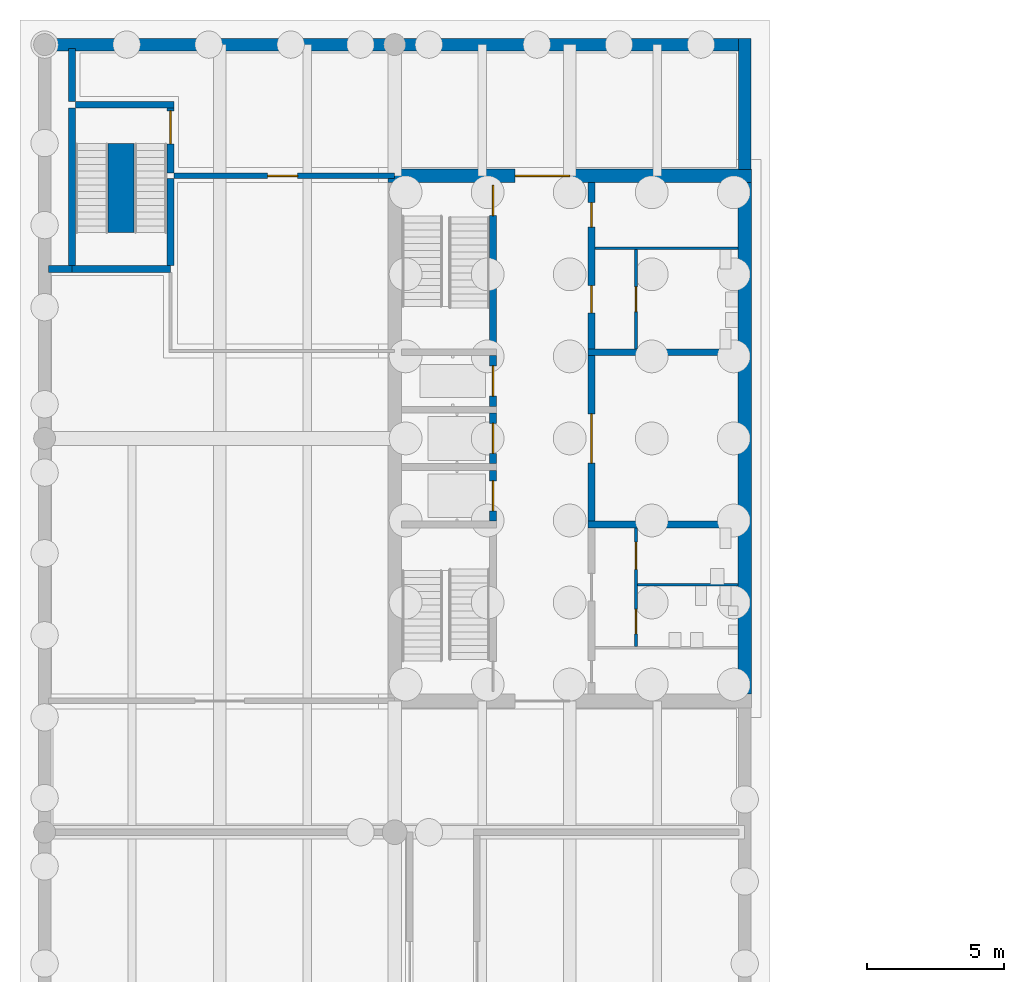
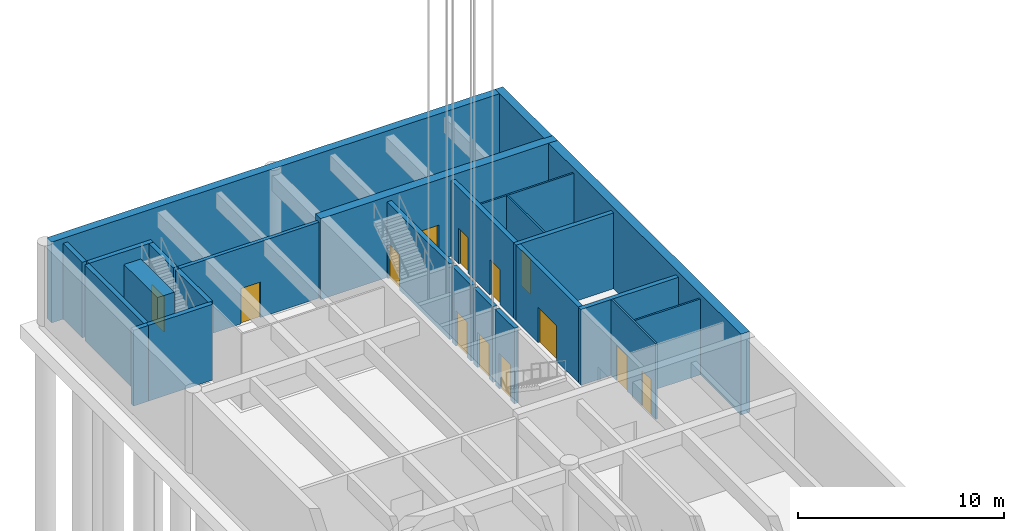
# One storey, part 4 of 24: 25 walls, 13 doors, 13 openings.
"""IFC4 building model written with IfcOpenShell, lengths in metres."""

from ifc_helpers import new_model, si_unit, direction, frame, frame_2d, origin, place, context, subcontext, project, spatial, rectangle, extrude, material, layer, layer_set, type_object, element, fill, save


model = new_model("IFC4")

# Units and contexts
model_context = context("Model", 3, precision=1e-05, world=origin(), true_north=direction((0.0, 1.0)))
body_context = subcontext(model_context, "Body", "Model", "MODEL_VIEW")
ifc_project = project(units=[si_unit("LENGTHUNIT", "METRE"), si_unit("AREAUNIT", "SQUARE_METRE"), si_unit("VOLUMEUNIT", "CUBIC_METRE"), si_unit("PLANEANGLEUNIT", "RADIAN"), si_unit("MASSUNIT", "GRAM", prefix="KILO")], contexts=[model_context])

# Site, building, storey
site_placement = place(None, origin())
site = spatial("IfcSite", under=ifc_project, at=site_placement, CompositionType="ELEMENT")
building_placement = place(site_placement, origin())
building = spatial("IfcBuilding", under=site, at=building_placement, Name="Fogon Plaza Fire Station and Headquarters Tower", CompositionType="ELEMENT")
storey_placement = place(building_placement, frame((0.0, 0.0, -4.800048828125)))
storey = spatial("IfcBuildingStorey", under=building, at=storey_placement, Name="B1", CompositionType="ELEMENT", Elevation=-4.800048828125)

# Wall, opening, door
ifc_material_1 = material(Name="Concrete C40", Category="concrete")
ifc_layer_1 = layer(ifc_material_1, 0.25)
ifc_layer_set_1 = layer_set([ifc_layer_1], Name="Concrete C40")
wall_type_1 = type_object("IfcWallType", Name="Core Wall RC 250", PredefinedType="SOLIDWALL", material=ifc_layer_set_1)
wall_1_placement = place(storey_placement, frame((16.39990234375, 40.175048828125, 0.0), z_axis=(0.0, 0.0, 1.0), x_axis=(0.0, 1.0, 0.0)))
wall_1 = element("IfcWall", 1, at=wall_1_placement, inside=storey, type_object=wall_type_1, Name="Core A shaft wall", PredefinedType="SOLIDWALL", context=body_context, shape_type="SweptSolid", body=[
    extrude(rectangle(XDim=1.849853515625, YDim=0.25, at=frame_2d((0.9248046875, 0.0))), origin(), (0.0, 0.0, 1.0), 4.5),
])
opening_1_placement = place(wall_1_placement, frame((0.375, 0.0, 0.0)))
opening_1 = element("IfcOpeningElement", 2, at=opening_1_placement, cuts=wall_1, Name="Opening B1-D03", PredefinedType="OPENING", context=body_context, shape_type="SweptSolid", body=[
    extrude(rectangle(XDim=1.10009765625, YDim=2.10009765625, at=frame_2d((0.550048828125, 1.050048828125))), frame((0.0, 0.135009765625, 0.0), z_axis=(0.0, -1.0, 0.0), x_axis=(1.0, 0.0, 0.0)), (0.0, 0.0, 1.0), 0.27001953125),
])
ifc_material_2 = material(Name="Stainless Steel", Category="steel")
door_type_1 = type_object("IfcDoorType", Name="Lift Landing Door 1100x2100", OperationType="SLIDING_TO_LEFT", PredefinedType="DOOR", material=ifc_material_2)
door_1_placement = place(opening_1_placement, origin())
door_1 = element("IfcDoor", 3, at=door_1_placement, inside=storey, type_object=door_type_1, Name="Lift LP1 landing door", OperationType="SLIDING_TO_LEFT", OverallHeight=2.10009765625, OverallWidth=1.10009765625, PredefinedType="DOOR", context=body_context, shape_type="SweptSolid", body=[
    extrude(rectangle(XDim=1.10009765625, YDim=2.10009765625, at=frame_2d((0.550048828125, 1.050048828125))), frame((0.0, 0.02490234375, 0.0), z_axis=(0.0, -1.0, 0.0), x_axis=(1.0, 0.0, 0.0)), (0.0, 0.0, 1.0), 0.050048828125),
])
fill(opening_1, door_1)

wall_2_placement = place(storey_placement, frame((16.39990234375, 42.27490234375, 0.0), z_axis=(0.0, 0.0, 1.0), x_axis=(0.0, 1.0, 0.0)))
wall_2 = element("IfcWall", 4, at=wall_2_placement, inside=storey, type_object=wall_type_1, Name="Core A shaft wall", PredefinedType="SOLIDWALL", context=body_context, shape_type="SweptSolid", body=[
    extrude(rectangle(XDim=1.85009765625, YDim=0.25, at=frame_2d((0.925048828125, 0.0))), origin(), (0.0, 0.0, 1.0), 4.5),
])
opening_2_placement = place(wall_2_placement, frame((0.375, 0.0, 0.0)))
opening_2 = element("IfcOpeningElement", 5, at=opening_2_placement, cuts=wall_2, Name="Opening B1-D04", PredefinedType="OPENING", context=body_context, shape_type="SweptSolid", body=[
    extrude(rectangle(XDim=1.10009765625, YDim=2.10009765625, at=frame_2d((0.550048828125, 1.050048828125))), frame((0.0, 0.135009765625, 0.0), z_axis=(0.0, -1.0, 0.0), x_axis=(1.0, 0.0, 0.0)), (0.0, 0.0, 1.0), 0.27001953125),
])
door_2_placement = place(opening_2_placement, origin())
door_2 = element("IfcDoor", 6, at=door_2_placement, inside=storey, type_object=door_type_1, Name="Lift LP2 landing door", OperationType="SLIDING_TO_LEFT", OverallHeight=2.10009765625, OverallWidth=1.10009765625, PredefinedType="DOOR", context=body_context, shape_type="SweptSolid", body=[
    extrude(rectangle(XDim=1.10009765625, YDim=2.10009765625, at=frame_2d((0.550048828125, 1.050048828125))), frame((0.0, 0.02490234375, 0.0), z_axis=(0.0, -1.0, 0.0), x_axis=(1.0, 0.0, 0.0)), (0.0, 0.0, 1.0), 0.050048828125),
])
fill(opening_2, door_2)

wall_3_placement = place(storey_placement, frame((16.39990234375, 44.375, 0.0), z_axis=(0.0, 0.0, 1.0), x_axis=(0.0, 1.0, 0.0)))
wall_3 = element("IfcWall", 7, at=wall_3_placement, inside=storey, type_object=wall_type_1, Name="Core A shaft wall", PredefinedType="SOLIDWALL", context=body_context, shape_type="SweptSolid", body=[
    extrude(rectangle(XDim=1.85009765625, YDim=0.25, at=frame_2d((0.925048828125, 0.0))), origin(), (0.0, 0.0, 1.0), 4.5),
])
opening_3_placement = place(wall_3_placement, frame((0.375, 0.0, 0.0)))
opening_3 = element("IfcOpeningElement", 8, at=opening_3_placement, cuts=wall_3, Name="Opening B1-D05", PredefinedType="OPENING", context=body_context, shape_type="SweptSolid", body=[
    extrude(rectangle(XDim=1.10009765625, YDim=2.10009765625, at=frame_2d((0.550048828125, 1.050048828125))), frame((0.0, 0.135009765625, 0.0), z_axis=(0.0, -1.0, 0.0), x_axis=(1.0, 0.0, 0.0)), (0.0, 0.0, 1.0), 0.27001953125),
])
door_3_placement = place(opening_3_placement, origin())
door_3 = element("IfcDoor", 9, at=door_3_placement, inside=storey, type_object=door_type_1, Name="Lift FL1 landing door", OperationType="SLIDING_TO_LEFT", OverallHeight=2.10009765625, OverallWidth=1.10009765625, PredefinedType="DOOR", context=body_context, shape_type="SweptSolid", body=[
    extrude(rectangle(XDim=1.10009765625, YDim=2.10009765625, at=frame_2d((0.550048828125, 1.050048828125))), frame((0.0, 0.02490234375, 0.0), z_axis=(0.0, -1.0, 0.0), x_axis=(1.0, 0.0, 0.0)), (0.0, 0.0, 1.0), 0.050048828125),
])
fill(opening_3, door_3)

wall_4_placement = place(storey_placement, frame((16.39990234375, 46.47509765625, 0.0), z_axis=(0.0, 0.0, 1.0), x_axis=(0.0, 1.0, 0.0)))
wall_4 = element("IfcWall", 10, at=wall_4_placement, inside=storey, type_object=wall_type_1, Name="Core A shaft wall", PredefinedType="SOLIDWALL", context=body_context, shape_type="SweptSolid", body=[
    extrude(rectangle(XDim=6.074951171875, YDim=0.25, at=frame_2d((3.03759765625, 0.0))), origin(), (0.0, 0.0, 1.0), 4.5),
])
opening_4_placement = place(wall_4_placement, frame((4.875, 0.0, 0.0)))
opening_4 = element("IfcOpeningElement", 11, at=opening_4_placement, cuts=wall_4, Name="Opening B1-D02", PredefinedType="OPENING", context=body_context, shape_type="SweptSolid", body=[
    extrude(rectangle(XDim=1.10009765625, YDim=2.10009765625, at=frame_2d((0.550048828125, 1.050048828125))), frame((0.0, 0.135009765625, 0.0), z_axis=(0.0, -1.0, 0.0), x_axis=(1.0, 0.0, 0.0)), (0.0, 0.0, 1.0), 0.27001953125),
])
ifc_material_3 = material(Name="Steel Fire Door Leaf", Category="steel")
door_type_2 = type_object("IfcDoorType", Name="Stair Door Single 1100x2100", OperationType="SINGLE_SWING_LEFT", PredefinedType="DOOR", material=ifc_material_3)
door_4_placement = place(opening_4_placement, origin())
door_4 = element("IfcDoor", 12, at=door_4_placement, inside=storey, type_object=door_type_2, Name="Stair door ST2", OperationType="SINGLE_SWING_RIGHT", OverallHeight=2.10009765625, OverallWidth=1.10009765625, PredefinedType="DOOR", context=body_context, shape_type="SweptSolid", body=[
    extrude(rectangle(XDim=1.10009765625, YDim=2.10009765625, at=frame_2d((0.550048828125, 1.050048828125))), frame((0.0, 0.02490234375, 0.0), z_axis=(0.0, -1.0, 0.0), x_axis=(1.0, 0.0, 0.0)), (0.0, 0.0, 1.0), 0.050048828125),
])
fill(opening_4, door_4)

wall_5_placement = place(storey_placement, frame((20.0, 40.175048828125, 0.0), z_axis=(0.0, 0.0, 1.0), x_axis=(0.0, 1.0, 0.0)))
wall_5 = element("IfcWall", 13, at=wall_5_placement, inside=storey, type_object=wall_type_1, Name="Core A shaft wall", PredefinedType="SOLIDWALL", context=body_context, shape_type="SweptSolid", body=[
    extrude(rectangle(XDim=6.050048828125, YDim=0.25, at=frame_2d((3.02490234375, 0.0))), origin(), (0.0, 0.0, 1.0), 4.5),
])
opening_5_placement = place(wall_5_placement, frame((2.125, 0.0, 0.0)))
opening_5 = element("IfcOpeningElement", 14, at=opening_5_placement, cuts=wall_5, Name="Opening B1-D06", PredefinedType="OPENING", context=body_context, shape_type="SweptSolid", body=[
    extrude(rectangle(XDim=1.800048828125, YDim=2.10009765625, at=frame_2d((0.89990234375, 1.050048828125))), frame((0.0, 0.135009765625, 0.0), z_axis=(0.0, -1.0, 0.0), x_axis=(1.0, 0.0, 0.0)), (0.0, 0.0, 1.0), 0.27001953125),
])
ifc_material_4 = material(Name="Steel Fire Door Leaf", Category="steel")
door_type_3 = type_object("IfcDoorType", Name="Store Double 1800x2100", OperationType="DOUBLE_DOOR_SINGLE_SWING", PredefinedType="DOOR", material=ifc_material_4)
door_5_placement = place(opening_5_placement, frame((1.800048828125, 0.0, 0.0), z_axis=(0.0, 0.0, 1.0), x_axis=(-1.0, 0.0, 0.0)))
door_5 = element("IfcDoor", 15, at=door_5_placement, inside=storey, type_object=door_type_3, Name="Service store A door", OperationType="DOUBLE_DOOR_SINGLE_SWING", OverallHeight=2.10009765625, OverallWidth=1.800048828125, PredefinedType="DOOR", context=body_context, shape_type="SweptSolid", body=[
    extrude(rectangle(XDim=1.800048828125, YDim=2.10009765625, at=frame_2d((0.89990234375, 1.050048828125))), frame((0.0, 0.02490234375, 0.0), z_axis=(0.0, -1.0, 0.0), x_axis=(1.0, 0.0, 0.0)), (0.0, 0.0, 1.0), 0.050048828125),
])
fill(opening_5, door_5)

# Wall, openings, doors
wall_6_placement = place(storey_placement, frame((20.0, 46.47509765625, 0.0), z_axis=(0.0, 0.0, 1.0), x_axis=(0.0, 1.0, 0.0)))
wall_6 = element("IfcWall", 16, at=wall_6_placement, inside=storey, type_object=wall_type_1, Name="Core A shaft wall", PredefinedType="SOLIDWALL", context=body_context, shape_type="SweptSolid", body=[
    extrude(rectangle(XDim=6.074951171875, YDim=0.25, at=frame_2d((3.03759765625, 0.0))), origin(), (0.0, 0.0, 1.0), 4.5),
])
opening_6_placement = place(wall_6_placement, frame((1.3125, 0.0, 0.0)))
opening_6 = element("IfcOpeningElement", 17, at=opening_6_placement, cuts=wall_6, Name="Opening B1-D11", PredefinedType="OPENING", context=body_context, shape_type="SweptSolid", body=[
    extrude(rectangle(XDim=1.0, YDim=2.10009765625, at=frame_2d((0.5, 1.050048828125))), frame((0.0, 0.135009765625, 0.0), z_axis=(0.0, -1.0, 0.0), x_axis=(1.0, 0.0, 0.0)), (0.0, 0.0, 1.0), 0.27001953125),
])
opening_7_placement = place(wall_6_placement, frame((4.449951171875, 0.0, 0.0)))
opening_7 = element("IfcOpeningElement", 18, at=opening_7_placement, cuts=wall_6, Name="Opening B1-D13", PredefinedType="OPENING", context=body_context, shape_type="SweptSolid", body=[
    extrude(rectangle(XDim=0.89990234375, YDim=2.10009765625, at=frame_2d((0.449951171875, 1.050048828125))), frame((0.0, 0.135009765625, 0.0), z_axis=(0.0, -1.0, 0.0), x_axis=(1.0, 0.0, 0.0)), (0.0, 0.0, 1.0), 0.27001953125),
])
ifc_material_5 = material(Name="Steel Fire Door Leaf", Category="steel")
door_type_4 = type_object("IfcDoorType", Name="Riser Single 900x2100", OperationType="SINGLE_SWING_LEFT", PredefinedType="DOOR", material=ifc_material_5)
door_6_placement = place(opening_7_placement, frame((0.89990234375, 0.0, 0.0), z_axis=(0.0, 0.0, 1.0), x_axis=(-1.0, 0.0, 0.0)))
door_6 = element("IfcDoor", 19, at=door_6_placement, inside=storey, type_object=door_type_4, Name="Riser room A door", OperationType="SINGLE_SWING_LEFT", OverallHeight=2.10009765625, OverallWidth=0.89990234375, PredefinedType="DOOR", context=body_context, shape_type="SweptSolid", body=[
    extrude(rectangle(XDim=0.89990234375, YDim=2.10009765625, at=frame_2d((0.449951171875, 1.050048828125))), frame((0.0, 0.02490234375, 0.0), z_axis=(0.0, -1.0, 0.0), x_axis=(1.0, 0.0, 0.0)), (0.0, 0.0, 1.0), 0.050048828125),
])
fill(opening_7, door_6)
ifc_material_6 = material(Name="Timber fire door", Category="wood")
door_type_5 = type_object("IfcDoorType", Name="WC Lobby Single 1000x2100", OperationType="SINGLE_SWING_LEFT", PredefinedType="DOOR", material=ifc_material_6)
door_7_placement = place(opening_6_placement, frame((1.0, 0.0, 0.0), z_axis=(0.0, 0.0, 1.0), x_axis=(-1.0, 0.0, 0.0)))
door_7 = element("IfcDoor", 20, at=door_7_placement, inside=storey, type_object=door_type_5, Name="Women's WC lobby A door", OperationType="SINGLE_SWING_LEFT", OverallHeight=2.10009765625, OverallWidth=1.0, PredefinedType="DOOR", context=body_context, shape_type="SweptSolid", body=[
    extrude(rectangle(XDim=1.0, YDim=2.10009765625, at=frame_2d((0.5, 1.050048828125))), frame((0.0, 0.02490234375, 0.0), z_axis=(0.0, -1.0, 0.0), x_axis=(1.0, 0.0, 0.0)), (0.0, 0.0, 1.0), 0.050048828125),
])
fill(opening_6, door_7)

# Walls
for number, where, z_axis, x_axis, name in (
    (21, (19.875, 40.050048828125, 0.0), (0.0, 0.0, 1.0), (1.0, 0.0, 0.0), "Core A shaft wall"),
    (22, (19.875, 46.35009765625, 0.0), (0.0, 0.0, 1.0), (1.0, 0.0, 0.0), "Core A shaft wall"),
):
    element("IfcWall", number, at=place(storey_placement, frame(where, z_axis=z_axis, x_axis=x_axis)), inside=storey, type_object=wall_type_1, Name=name, PredefinedType="SOLIDWALL", context=body_context, shape_type="SweptSolid", body=[
        extrude(rectangle(XDim=5.47509765625, YDim=0.25, at=frame_2d((2.737548828125, 0.0))), origin(), (0.0, 0.0, 1.0), 4.5),
    ])

# Wall, opening, door
ifc_material_7 = material(Name="Gypsum Board Fire Partition")
ifc_layer_2 = layer(ifc_material_7, 0.199951171875)
ifc_layer_set_2 = layer_set([ifc_layer_2], Name="Gypsum Board Fire Partition")
wall_type_2 = type_object("IfcWallType", Name="Corridor Wall EI 60", PredefinedType="PARTITIONING", material=ifc_layer_set_2)
wall_7_placement = place(storey_placement, frame((4.72509765625, 52.800048828125, 0.0), z_axis=(0.0, 0.0, 1.0), x_axis=(1.0, 0.0, 0.0)))
wall_7 = element("IfcWall", 23, at=wall_7_placement, inside=storey, type_object=wall_type_2, Name="wall-B1-W-017", PredefinedType="PARTITIONING", context=body_context, shape_type="SweptSolid", body=[
    extrude(rectangle(XDim=8.074951171875, YDim=0.199951171875, at=frame_2d((4.03759765625, 0.0))), origin(), (0.0, 0.0, 1.0), 4.5),
])
opening_8_placement = place(wall_7_placement, frame((3.425048828125, 0.0, 0.0)))
opening_8 = element("IfcOpeningElement", 24, at=opening_8_placement, cuts=wall_7, Name="Opening B1-D39", PredefinedType="OPENING", context=body_context, shape_type="SweptSolid", body=[
    extrude(rectangle(XDim=1.10009765625, YDim=2.10009765625, at=frame_2d((0.550048828125, 1.050048828125))), frame((0.0, 0.10986328125, 0.0), z_axis=(0.0, -1.0, 0.0), x_axis=(1.0, 0.0, 0.0)), (0.0, 0.0, 1.0), 0.219970703125),
])
ifc_material_8 = material(Name="Steel Fire Door Leaf", Category="steel")
door_type_6 = type_object("IfcDoorType", Name="Corridor Door EI 20 1100x2100", OperationType="SINGLE_SWING_LEFT", PredefinedType="DOOR", material=ifc_material_8)
door_8_placement = place(opening_8_placement, frame((1.10009765625, 0.0, 0.0), z_axis=(0.0, 0.0, 1.0), x_axis=(-1.0, 0.0, 0.0)))
door_8 = element("IfcDoor", 25, at=door_8_placement, inside=storey, type_object=door_type_6, Name="door-B1-W-09", OperationType="SINGLE_SWING_LEFT", OverallHeight=2.10009765625, OverallWidth=1.10009765625, PredefinedType="DOOR", context=body_context, shape_type="SweptSolid", body=[
    extrude(rectangle(XDim=1.10009765625, YDim=2.10009765625, at=frame_2d((0.550048828125, 1.050048828125))), frame((0.0, 0.02490234375, 0.0), z_axis=(0.0, -1.0, 0.0), x_axis=(1.0, 0.0, 0.0)), (0.0, 0.0, 1.0), 0.050048828125),
])
fill(opening_8, door_8)

# Wall, openings, doors
ifc_material_9 = material(Name="Blockwork", Category="masonry")
ifc_layer_3 = layer(ifc_material_9, 0.10009765625)
ifc_layer_set_3 = layer_set([ifc_layer_3], Name="Blockwork")
wall_type_3 = type_object("IfcWallType", Name="Partition Blockwork 100", PredefinedType="PARTITIONING", material=ifc_layer_set_3)
wall_8_placement = place(storey_placement, frame((21.625, 35.60009765625, 0.0), z_axis=(0.0, 0.0, 1.0), x_axis=(0.0, 1.0, 0.0)))
wall_8 = element("IfcWall", 26, at=wall_8_placement, inside=storey, type_object=wall_type_3, Name="WC block partition", PredefinedType="PARTITIONING", context=body_context, shape_type="SweptSolid", body=[
    extrude(rectangle(XDim=4.324951171875, YDim=0.10009765625, at=frame_2d((2.16259765625, 0.0))), origin(), (0.0, 0.0, 1.0), 4.5),
])
opening_9_placement = place(wall_8_placement, frame((0.449951171875, 0.0, 0.0)))
opening_9 = element("IfcOpeningElement", 27, at=opening_9_placement, cuts=wall_8, Name="Opening B1-D09", PredefinedType="OPENING", context=body_context, shape_type="SweptSolid", body=[
    extrude(rectangle(XDim=0.89990234375, YDim=2.10009765625, at=frame_2d((0.449951171875, 1.050048828125))), frame((0.0, 0.06005859375, 0.0), z_axis=(0.0, -1.0, 0.0), x_axis=(1.0, 0.0, 0.0)), (0.0, 0.0, 1.0), 0.1201171875),
])
opening_10_placement = place(wall_8_placement, frame((2.8125, 0.0, 0.0)))
opening_10 = element("IfcOpeningElement", 28, at=opening_10_placement, cuts=wall_8, Name="Opening B1-D10", PredefinedType="OPENING", context=body_context, shape_type="SweptSolid", body=[
    extrude(rectangle(XDim=1.0, YDim=2.10009765625, at=frame_2d((0.5, 1.050048828125))), frame((0.0, 0.06005859375, 0.0), z_axis=(0.0, -1.0, 0.0), x_axis=(1.0, 0.0, 0.0)), (0.0, 0.0, 1.0), 0.1201171875),
])
ifc_material_10 = material(Name="Timber Door Leaf", Category="wood")
door_type_7 = type_object("IfcDoorType", Name="Accessible WC Single 1000x2100", OperationType="SINGLE_SWING_LEFT", PredefinedType="DOOR", material=ifc_material_10)
door_9_placement = place(opening_10_placement, frame((1.0, 0.0, 0.0), z_axis=(0.0, 0.0, 1.0), x_axis=(-1.0, 0.0, 0.0)))
door_9 = element("IfcDoor", 29, at=door_9_placement, inside=storey, type_object=door_type_7, Name="Accessible WC A door", OperationType="SINGLE_SWING_RIGHT", OverallHeight=2.10009765625, OverallWidth=1.0, PredefinedType="DOOR", context=body_context, shape_type="SweptSolid", body=[
    extrude(rectangle(XDim=1.0, YDim=2.10009765625, at=frame_2d((0.5, 1.050048828125))), frame((0.0, 0.02490234375, 0.0), z_axis=(0.0, -1.0, 0.0), x_axis=(1.0, 0.0, 0.0)), (0.0, 0.0, 1.0), 0.050048828125),
])
fill(opening_10, door_9)
ifc_material_11 = material(Name="Timber Door Leaf", Category="wood")
door_type_8 = type_object("IfcDoorType", Name="WC Single 900x2100", OperationType="SINGLE_SWING_LEFT", PredefinedType="DOOR", material=ifc_material_11)
door_10_placement = place(opening_9_placement, frame((0.89990234375, 0.0, 0.0), z_axis=(0.0, 0.0, 1.0), x_axis=(-1.0, 0.0, 0.0)))
door_10 = element("IfcDoor", 30, at=door_10_placement, inside=storey, type_object=door_type_8, Name="Men's WC A door", OperationType="SINGLE_SWING_RIGHT", OverallHeight=2.10009765625, OverallWidth=0.89990234375, PredefinedType="DOOR", context=body_context, shape_type="SweptSolid", body=[
    extrude(rectangle(XDim=0.89990234375, YDim=2.10009765625, at=frame_2d((0.449951171875, 1.050048828125))), frame((0.0, 0.02490234375, 0.0), z_axis=(0.0, -1.0, 0.0), x_axis=(1.0, 0.0, 0.0)), (0.0, 0.0, 1.0), 0.050048828125),
])
fill(opening_9, door_10)

# Wall
wall_9_placement = place(storey_placement, frame((21.675048828125, 37.85009765625, 0.0), z_axis=(0.0, 0.0, 1.0), x_axis=(1.0, 0.0, 0.0)))
element("IfcWall", 31, at=wall_9_placement, inside=storey, type_object=wall_type_3, Name="WC block partition", PredefinedType="PARTITIONING", context=body_context, shape_type="SweptSolid", body=[
    extrude(rectangle(XDim=3.675048828125, YDim=0.10009765625, at=frame_2d((1.83740234375, 0.0))), origin(), (0.0, 0.0, 1.0), 4.5),
])

# Wall, opening, door
wall_10_placement = place(storey_placement, frame((21.625, 46.47509765625, 0.0), z_axis=(0.0, 0.0, 1.0), x_axis=(0.0, 1.0, 0.0)))
wall_10 = element("IfcWall", 32, at=wall_10_placement, inside=storey, type_object=wall_type_3, Name="WC block partition", PredefinedType="PARTITIONING", context=body_context, shape_type="SweptSolid", body=[
    extrude(rectangle(XDim=3.625, YDim=0.10009765625, at=frame_2d((1.8125, 0.0))), origin(), (0.0, 0.0, 1.0), 4.5),
])
opening_11_placement = place(wall_10_placement, frame((1.362548828125, 0.0, 0.0)))
opening_11 = element("IfcOpeningElement", 33, at=opening_11_placement, cuts=wall_10, Name="Opening B1-D12", PredefinedType="OPENING", context=body_context, shape_type="SweptSolid", body=[
    extrude(rectangle(XDim=0.89990234375, YDim=2.10009765625, at=frame_2d((0.449951171875, 1.050048828125))), frame((0.0, 0.06005859375, 0.0), z_axis=(0.0, -1.0, 0.0), x_axis=(1.0, 0.0, 0.0)), (0.0, 0.0, 1.0), 0.1201171875),
])
door_11_placement = place(opening_11_placement, frame((0.89990234375, 0.0, 0.0), z_axis=(0.0, 0.0, 1.0), x_axis=(-1.0, 0.0, 0.0)))
door_11 = element("IfcDoor", 34, at=door_11_placement, inside=storey, type_object=door_type_8, Name="Women's WC A door", OperationType="SINGLE_SWING_RIGHT", OverallHeight=2.10009765625, OverallWidth=0.89990234375, PredefinedType="DOOR", context=body_context, shape_type="SweptSolid", body=[
    extrude(rectangle(XDim=0.89990234375, YDim=2.10009765625, at=frame_2d((0.449951171875, 1.050048828125))), frame((0.0, 0.02490234375, 0.0), z_axis=(0.0, -1.0, 0.0), x_axis=(1.0, 0.0, 0.0)), (0.0, 0.0, 1.0), 0.050048828125),
])
fill(opening_11, door_11)

# Wall
ifc_material_12 = material(Name="Blockwork", Category="masonry")
ifc_layer_4 = layer(ifc_material_12, 0.10009765625)
ifc_layer_set_4 = layer_set([ifc_layer_4], Name="Blockwork")
wall_type_4 = type_object("IfcWallType", Name="Riser Partition Blockwork 100", PredefinedType="PARTITIONING", material=ifc_layer_set_4)
wall_11_placement = place(storey_placement, frame((20.125, 50.14990234375, 0.0), z_axis=(0.0, 0.0, 1.0), x_axis=(1.0, 0.0, 0.0)))
element("IfcWall", 35, at=wall_11_placement, inside=storey, type_object=wall_type_4, Name="Riser room partition", PredefinedType="PARTITIONING", context=body_context, shape_type="SweptSolid", body=[
    extrude(rectangle(XDim=5.22509765625, YDim=0.10009765625, at=frame_2d((2.612548828125, 0.0))), origin(), (0.0, 0.0, 1.0), 4.5),
])

# Wall, opening, door
ifc_material_13 = material(Name="Concrete C40", Category="concrete")
ifc_layer_5 = layer(ifc_material_13, 0.5)
ifc_layer_set_5 = layer_set([ifc_layer_5], Name="Concrete C40")
wall_type_5 = type_object("IfcWallType", Name="Shear wall 500 SW50", PredefinedType="SHEAR", material=ifc_layer_set_5)
wall_12_placement = place(storey_placement, frame((12.550048828125, 52.800048828125, 0.0), z_axis=(0.0, 0.0, 1.0), x_axis=(1.0, 0.0, 0.0)))
wall_12 = element("IfcWall", 36, at=wall_12_placement, inside=storey, type_object=wall_type_5, Name="wall-coreA-N-B1", PredefinedType="SHEAR", context=body_context, shape_type="SweptSolid", body=[
    extrude(rectangle(XDim=13.300048828125, YDim=0.5, at=frame_2d((6.64990234375, 0.0))), origin(), (0.0, 0.0, 1.0), 4.800048828125),
])
opening_12_placement = place(wall_12_placement, frame((4.64990234375, 0.0, 0.0)))
opening_12 = element("IfcOpeningElement", 37, at=opening_12_placement, cuts=wall_12, Name="Opening B1-D15", PredefinedType="OPENING", context=body_context, shape_type="SweptSolid", body=[
    extrude(rectangle(XDim=2.0, YDim=2.10009765625, at=frame_2d((1.0, 1.050048828125))), frame((0.0, 0.260009765625, 0.0), z_axis=(0.0, -1.0, 0.0), x_axis=(1.0, 0.0, 0.0)), (0.0, 0.0, 1.0), 0.52001953125),
])
ifc_material_14 = material(Name="Steel Fire Door Leaf", Category="steel")
door_type_9 = type_object("IfcDoorType", Name="Core Lobby Double 2000x2100", OperationType="DOUBLE_DOOR_SINGLE_SWING", PredefinedType="DOOR", material=ifc_material_14)
door_12_placement = place(opening_12_placement, frame((2.0, 0.0, 0.0), z_axis=(0.0, 0.0, 1.0), x_axis=(-1.0, 0.0, 0.0)))
door_12 = element("IfcDoor", 38, at=door_12_placement, inside=storey, type_object=door_type_9, Name="Core A lobby door N", OperationType="DOUBLE_DOOR_SINGLE_SWING", OverallHeight=2.10009765625, OverallWidth=2.0, PredefinedType="DOOR", context=body_context, shape_type="SweptSolid", body=[
    extrude(rectangle(XDim=2.0, YDim=2.10009765625, at=frame_2d((1.0, 1.050048828125))), frame((0.0, 0.02490234375, 0.0), z_axis=(0.0, -1.0, 0.0), x_axis=(1.0, 0.0, 0.0)), (0.0, 0.0, 1.0), 0.050048828125),
])
fill(opening_12, door_12)

# Walls
wall_13_placement = place(storey_placement, frame((25.60009765625, 33.85009765625, 0.0), z_axis=(0.0, 0.0, 1.0), x_axis=(0.0, 1.0, 0.0)))
element("IfcWall", 39, at=wall_13_placement, inside=storey, type_object=wall_type_5, Name="wall-coreA-E-B1", PredefinedType="SHEAR", context=body_context, shape_type="SweptSolid", body=[
    extrude(rectangle(XDim=18.699951171875, YDim=0.5, at=frame_2d((9.35009765625, 0.0))), origin(), (0.0, 0.0, 1.0), 4.800048828125),
])
ifc_material_15 = material(Name="Concrete C40", Category="concrete")
ifc_layer_6 = layer(ifc_material_15, 0.449951171875)
ifc_layer_set_6 = layer_set([ifc_layer_6], Name="Concrete C40")
wall_type_6 = type_object("IfcWallType", Name="Solid wall 450 RW45", PredefinedType="SOLIDWALL", material=ifc_layer_set_6)
wall_14_placement = place(storey_placement, frame((0.22509765625, 57.60009765625, 0.0), z_axis=(0.0, 0.0, 1.0), x_axis=(1.0, 0.0, 0.0)))
element("IfcWall", 40, at=wall_14_placement, inside=storey, type_object=wall_type_6, Name="wall-ret-W-3-B1", PredefinedType="SOLIDWALL", context=body_context, shape_type="SweptSolid", body=[
    extrude(rectangle(XDim=25.14990234375, YDim=0.449951171875, at=frame_2d((12.574951171875, 0.0))), origin(), (0.0, 0.0, 1.0), 4.800048828125),
])
wall_15_placement = place(storey_placement, frame((25.60009765625, 53.02490234375, 0.0), z_axis=(0.0, 0.0, 1.0), x_axis=(0.0, 1.0, 0.0)))
element("IfcWall", 41, at=wall_15_placement, inside=storey, type_object=wall_type_6, Name="wall-ret-W-5-B1", PredefinedType="SOLIDWALL", context=body_context, shape_type="SweptSolid", body=[
    extrude(rectangle(XDim=4.800048828125, YDim=0.449951171875, at=frame_2d((2.39990234375, 0.0))), origin(), (0.0, 0.0, 1.0), 4.800048828125),
])
ifc_material_16 = material(Name="Concrete C40", Category="concrete")
ifc_layer_7 = layer(ifc_material_16, 0.949951171875)
ifc_layer_set_7 = layer_set([ifc_layer_7], Name="Concrete C40")
wall_type_7 = type_object("IfcWallType", Name="Stair Newel Wall RC 950", PredefinedType="SHEAR", material=ifc_layer_set_7)
wall_16_placement = place(storey_placement, frame((2.800048828125, 53.97509765625, 0.0), z_axis=(0.0, 0.0, 1.0), x_axis=(0.0, -1.0, 0.0)))
element("IfcWall", 42, at=wall_16_placement, inside=storey, type_object=wall_type_7, Name="wall-newel-ST5-B1", PredefinedType="SHEAR", context=body_context, shape_type="SweptSolid", body=[
    extrude(rectangle(XDim=3.25, YDim=0.949951171875, at=frame_2d((1.625, 0.0))), origin(), (0.0, 0.0, 1.0), 4.800048828125),
])
ifc_material_17 = material(Name="Concrete C40", Category="concrete")
ifc_layer_8 = layer(ifc_material_17, 0.25)
ifc_layer_set_8 = layer_set([ifc_layer_8], Name="Concrete C40")
wall_type_8 = type_object("IfcWallType", Name="Stair Shaft Wall RC 250", PredefinedType="SHEAR", material=ifc_layer_set_8)
wall_17_placement = place(storey_placement, frame((1.0, 49.39990234375, 0.0), z_axis=(0.0, 0.0, 1.0), x_axis=(1.0, 0.0, 0.0)))
element("IfcWall", 43, at=wall_17_placement, inside=storey, type_object=wall_type_8, Name="wall-B1-W-016", PredefinedType="SHEAR", context=body_context, shape_type="SweptSolid", body=[
    extrude(rectangle(XDim=3.610107421875, YDim=0.25, at=frame_2d((1.80517578125, 0.0))), origin(), (0.0, 0.0, 1.0), 4.5),
])
wall_18_placement = place(storey_placement, frame((1.125, 55.39990234375, 0.0), z_axis=(0.0, 0.0, 1.0), x_axis=(1.0, 0.0, 0.0)))
element("IfcWall", 44, at=wall_18_placement, inside=storey, type_object=wall_type_8, Name="wall-B1-W-018", PredefinedType="SHEAR", context=body_context, shape_type="SweptSolid", body=[
    extrude(rectangle(XDim=3.60009765625, YDim=0.25, at=frame_2d((1.800048828125, 0.0))), origin(), (0.0, 0.0, 1.0), 4.5),
])
wall_19_placement = place(storey_placement, frame((1.0, 49.52490234375, 0.0), z_axis=(0.0, 0.0, 1.0), x_axis=(0.0, 1.0, 0.0)))
element("IfcWall", 45, at=wall_19_placement, inside=storey, type_object=wall_type_8, Name="wall-B1-W-020", PredefinedType="SHEAR", context=body_context, shape_type="SweptSolid", body=[
    extrude(rectangle(XDim=5.75, YDim=0.25, at=frame_2d((2.875, 0.0))), origin(), (0.0, 0.0, 1.0), 4.5),
])
wall_20_placement = place(storey_placement, frame((4.60009765625, 49.52490234375, 0.0), z_axis=(0.0, 0.0, 1.0), x_axis=(0.0, 1.0, 0.0)))
element("IfcWall", 46, at=wall_20_placement, inside=storey, type_object=wall_type_8, Name="wall-B1-W-026", PredefinedType="SHEAR", context=body_context, shape_type="SweptSolid", body=[
    extrude(rectangle(XDim=3.175048828125, YDim=0.25, at=frame_2d((1.58740234375, 0.0))), origin(), (0.0, 0.0, 1.0), 4.5),
])

# Wall, opening, door
wall_21_placement = place(storey_placement, frame((4.60009765625, 52.89990234375, 0.0), z_axis=(0.0, 0.0, 1.0), x_axis=(0.0, 1.0, 0.0)))
wall_21 = element("IfcWall", 47, at=wall_21_placement, inside=storey, type_object=wall_type_8, Name="wall-B1-W-027", PredefinedType="SHEAR", context=body_context, shape_type="SweptSolid", body=[
    extrude(rectangle(XDim=2.375, YDim=0.25, at=frame_2d((1.1875, 0.0))), origin(), (0.0, 0.0, 1.0), 4.5),
])
opening_13_placement = place(wall_21_placement, frame((1.074951171875, 0.0, 0.0)))
opening_13 = element("IfcOpeningElement", 48, at=opening_13_placement, cuts=wall_21, Name="Opening B1-D40", PredefinedType="OPENING", context=body_context, shape_type="SweptSolid", body=[
    extrude(rectangle(XDim=1.199951171875, YDim=2.10009765625, at=frame_2d((0.60009765625, 1.050048828125))), frame((0.0, 0.135009765625, 0.0), z_axis=(0.0, -1.0, 0.0), x_axis=(1.0, 0.0, 0.0)), (0.0, 0.0, 1.0), 0.27001953125),
])
ifc_material_18 = material(Name="Steel Fire Door Leaf", Category="steel")
door_type_10 = type_object("IfcDoorType", Name="Stair Door EI 90 1200x2100", OperationType="SINGLE_SWING_LEFT", PredefinedType="DOOR", material=ifc_material_18)
door_13_placement = place(opening_13_placement, origin())
door_13 = element("IfcDoor", 49, at=door_13_placement, inside=storey, type_object=door_type_10, Name="door-B1-W-10", OperationType="SINGLE_SWING_RIGHT", OverallHeight=2.10009765625, OverallWidth=1.199951171875, PredefinedType="DOOR", context=body_context, shape_type="SweptSolid", body=[
    extrude(rectangle(XDim=1.199951171875, YDim=2.10009765625, at=frame_2d((0.60009765625, 1.050048828125))), frame((0.0, 0.02490234375, 0.0), z_axis=(0.0, -1.0, 0.0), x_axis=(1.0, 0.0, 0.0)), (0.0, 0.0, 1.0), 0.050048828125),
])
fill(opening_13, door_13)

# Walls
ifc_material_19 = material(Name="Concrete Block Fire Wall", Category="concrete")
ifc_layer_9 = layer(ifc_material_19, 0.25)
ifc_layer_set_9 = layer_set([ifc_layer_9], Name="Concrete Block Fire Wall")
wall_type_9 = type_object("IfcWallType", Name="Stair and Shaft Wall EI 120", PredefinedType="PARTITIONING", material=ifc_layer_set_9)
wall_22_placement = place(storey_placement, frame((0.14990234375, 49.39990234375, 0.0), z_axis=(0.0, 0.0, 1.0), x_axis=(1.0, 0.0, 0.0)))
element("IfcWall", 50, at=wall_22_placement, inside=storey, type_object=wall_type_9, Name="wall-B1-W-015", PredefinedType="PARTITIONING", context=body_context, shape_type="SweptSolid", body=[
    extrude(rectangle(XDim=0.85009765625, YDim=0.25, at=frame_2d((0.425048828125, 0.0))), origin(), (0.0, 0.0, 1.0), 4.5),
])
wall_23_placement = place(storey_placement, frame((1.0, 55.52490234375, 0.0), z_axis=(0.0, 0.0, 1.0), x_axis=(0.0, 1.0, 0.0)))
element("IfcWall", 51, at=wall_23_placement, inside=storey, type_object=wall_type_9, Name="wall-B1-W-021", PredefinedType="PARTITIONING", context=body_context, shape_type="SweptSolid", body=[
    extrude(rectangle(XDim=1.925048828125, YDim=0.25, at=frame_2d((0.96240234375, 0.0))), origin(), (0.0, 0.0, 1.0), 4.5),
])

save(model, "model.ifc")
